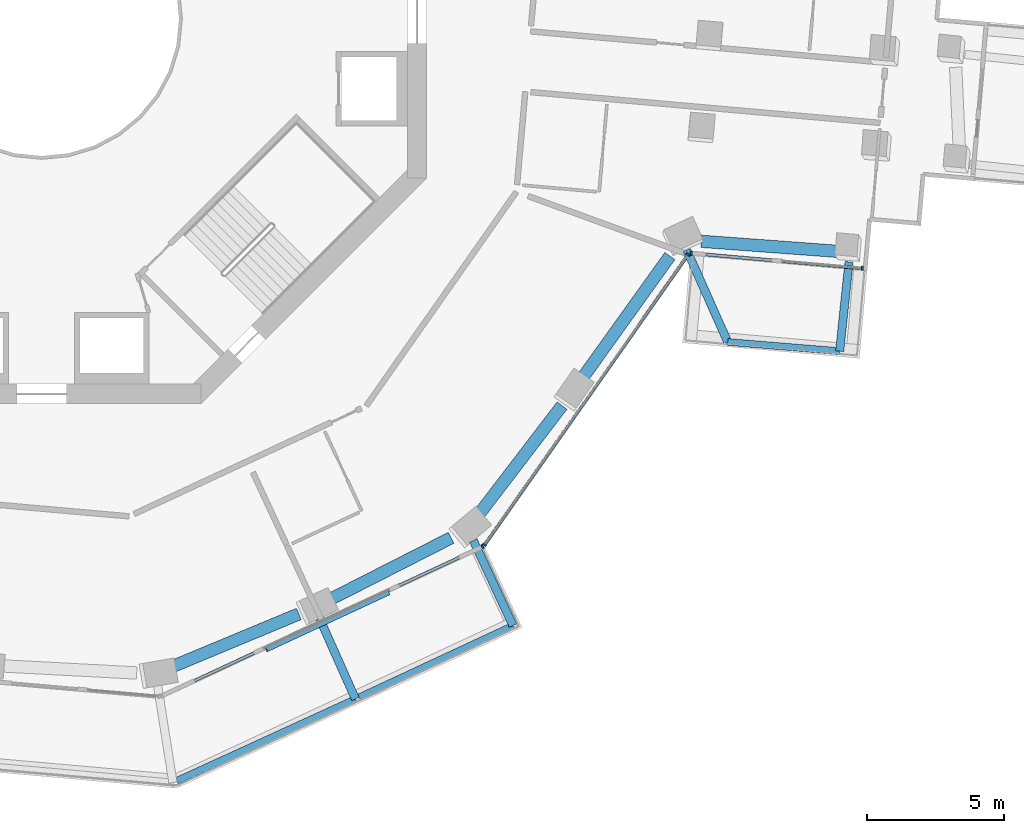
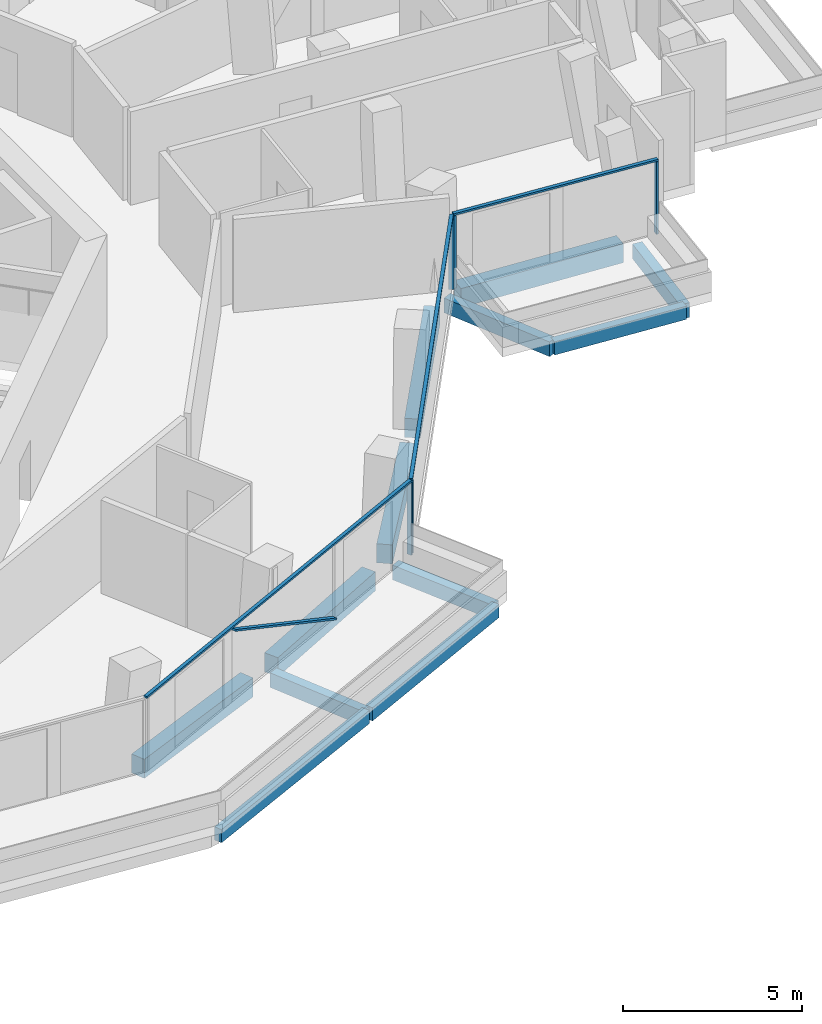
# One storey, part 5 of 23: 12 beams, 9 members, 3 elements without a shape of their own.
"""IFC4 building model written with IfcOpenShell, lengths in metres."""

from ifc_helpers import new_model, si_unit, direction, frame, origin, origin_2d, place, context, subcontext, project, spatial, rectangle, extrude, material, layer, layer_set, material_profile, profile_set, type_object, element, aggregate, save


model = new_model("IFC4")

# Units and contexts
model_context = context("Model", 3, precision=1e-05, world=origin(), true_north=direction((0.0, 1.0)))
body_context = subcontext(model_context, "Body", "Model", "MODEL_VIEW")
ifc_project = project(units=[si_unit("LENGTHUNIT", "METRE"), si_unit("AREAUNIT", "SQUARE_METRE"), si_unit("VOLUMEUNIT", "CUBIC_METRE"), si_unit("PLANEANGLEUNIT", "RADIAN"), si_unit("MASSUNIT", "GRAM", prefix="KILO")], contexts=[model_context])

# Site, building, storey
site_placement = place(None, origin())
site = spatial("IfcSite", under=ifc_project, at=site_placement, CompositionType="ELEMENT")
building_placement = place(site_placement, origin())
building = spatial("IfcBuilding", under=site, at=building_placement, Name="Verdalira Terraces Hotel", CompositionType="ELEMENT")
storey_placement = place(building_placement, frame((0.0, 0.0, 136.5)))
storey = spatial("IfcBuildingStorey", under=building, at=storey_placement, Name="L32", CompositionType="ELEMENT", Elevation=136.5)

# Beams
ifc_material_1 = material(Name="Concrete C40", Category="concrete")
ifc_material_profile_1 = material_profile(ifc_material_1, rectangle(XDim=0.300049, YDim=0.5, at=origin_2d()), Name="RC 300X500")
ifc_profile_set_1 = profile_set([ifc_material_profile_1], Name="Concrete C40")
beam_type_1 = type_object("IfcBeamType", Name="Balcony cantilever beam RC 300X500 C40", PredefinedType="BEAM", material=ifc_profile_set_1)
beam_1_placement = place(storey_placement, frame((10.113525, -21.829102, -0.560059), z_axis=(0.406704562, -0.91355974, 0.0), x_axis=(0.91355974, 0.406704562, 0.0)))
element("IfcBeam", 1, at=beam_1_placement, inside=storey, type_object=beam_type_1, Name="Balcony cantilever beam R25-4", PredefinedType="BEAM", context=body_context, shape_type="SweptSolid", body=[
    extrude(rectangle(XDim=0.300049, YDim=0.5, at=origin_2d()), origin(), (0.0, 0.0, 1.0), 3.200684),
])
beam_2_placement = place(storey_placement, frame((15.705811, -18.986816, -0.560059), z_axis=(0.421946562, -0.906620703, 0.0), x_axis=(0.906620703, 0.421946562, 0.0)))
element("IfcBeam", 2, at=beam_2_placement, inside=storey, type_object=beam_type_1, Name="Balcony cantilever beam R25-5", PredefinedType="BEAM", context=body_context, shape_type="SweptSolid", body=[
    extrude(rectangle(XDim=0.300049, YDim=0.5, at=origin_2d()), origin(), (0.0, 0.0, 1.0), 3.417236),
])
beam_3_placement = place(storey_placement, frame((23.471924, -8.423584, -0.560059), z_axis=(0.406776594, -0.913527669, 0.0), x_axis=(0.913527669, 0.406776594, 0.0)))
element("IfcBeam", 3, at=beam_3_placement, inside=storey, type_object=beam_type_1, Name="Balcony cantilever beam R28-1", PredefinedType="BEAM", context=body_context, shape_type="SweptSolid", body=[
    extrude(rectangle(XDim=0.300049, YDim=0.5, at=origin_2d()), origin(), (0.0, 0.0, 1.0), 3.655762),
])
beam_4_placement = place(storey_placement, frame((29.372314, -8.849609, -0.560059), z_axis=(-0.104595272, -0.994514871, 0.0), x_axis=(0.994514871, -0.104595272, 0.0)))
element("IfcBeam", 4, at=beam_4_placement, inside=storey, type_object=beam_type_1, Name="Balcony cantilever beam R28-2", PredefinedType="BEAM", context=body_context, shape_type="SweptSolid", body=[
    extrude(rectangle(XDim=0.300049, YDim=0.5, at=origin_2d()), origin(), (0.0, 0.0, 1.0), 3.265381),
])
ifc_material_2 = material(Name="Concrete C40", Category="concrete")
ifc_material_profile_2 = material_profile(ifc_material_2, rectangle(XDim=0.25, YDim=0.449951, at=origin_2d()), Name="RC 250X450")
ifc_profile_set_2 = profile_set([ifc_material_profile_2], Name="Concrete C40")
beam_type_2 = type_object("IfcBeamType", Name="Balcony edge beam RC 250X450 C40", PredefinedType="BEAM", material=ifc_profile_set_2)
beam_5_placement = place(storey_placement, frame((4.91748, -27.726562, -0.534912), z_axis=(0.90931754, 0.416102886, 0.0), x_axis=(-0.416102886, 0.90931754, 0.0)))
element("IfcBeam", 5, at=beam_5_placement, inside=storey, type_object=beam_type_2, Name="Balcony edge beam R25-3", PredefinedType="BEAM", context=body_context, shape_type="SweptSolid", body=[
    extrude(rectangle(XDim=0.25, YDim=0.449951, at=origin_2d()), origin(), (0.0, 0.0, 1.0), 7.145752),
])
beam_6_placement = place(storey_placement, frame((11.551514, -24.689697, -0.534912), z_axis=(0.906606063, 0.421978016, 0.0), x_axis=(-0.421978016, 0.906606063, 0.0)))
element("IfcBeam", 6, at=beam_6_placement, inside=storey, type_object=beam_type_2, Name="Balcony edge beam R25-4", PredefinedType="BEAM", context=body_context, shape_type="SweptSolid", body=[
    extrude(rectangle(XDim=0.25, YDim=0.449951, at=origin_2d()), origin(), (0.0, 0.0, 1.0), 6.172607),
])
beam_7_placement = place(storey_placement, frame((24.958984, -11.763184, -0.534912), z_axis=(0.996652893, -0.08174968, 0.0), x_axis=(0.08174968, 0.996652893, 0.0)))
element("IfcBeam", 7, at=beam_7_placement, inside=storey, type_object=beam_type_2, Name="Balcony edge beam R28-1", PredefinedType="BEAM", context=body_context, shape_type="SweptSolid", body=[
    extrude(rectangle(XDim=0.25, YDim=0.449951, at=origin_2d()), origin(), (0.0, 0.0, 1.0), 4.085449),
])

# Curtain wall, member
ifc_material_3 = material(Name="Clear glass", Category="glass")
ifc_layer_1 = layer(ifc_material_3, 0.14990234375)
ifc_layer_set_1 = layer_set([ifc_layer_1], Name="CW1 curtain wall")
curtain_wall_type_1 = type_object("IfcCurtainWallType", Name="CW1 curtain wall", PredefinedType="NOTDEFINED", material=ifc_layer_set_1)
curtain_wall_1_placement = place(storey_placement, origin())
curtain_wall_1 = element("IfcCurtainWall", 8, at=curtain_wall_1_placement, inside=storey, type_object=curtain_wall_type_1, Name="CW1 curtain wall L32 edge 26", PredefinedType="NOTDEFINED")
ifc_material_4 = material(Name="Terracotta frame", Category="masonry")
ifc_material_profile_3 = material_profile(ifc_material_4, rectangle(XDim=0.060059, YDim=0.149902, at=origin_2d()), Name="MU 60x150")
ifc_profile_set_3 = profile_set([ifc_material_profile_3], Name="Terracotta frame")
member_type_1 = type_object("IfcMemberType", Name="CW1 mullion 60x150", PredefinedType="MULLION", material=ifc_profile_set_3)
member_1_placement = place(storey_placement, frame((16.03418, -19.211426, 0.0), z_axis=(0.0, 0.0, 1.0), x_axis=(0.906602609, 0.421985437, 0.0)))
member_1 = element("IfcMember", 9, at=member_1_placement, type_object=member_type_1, Name="CW1 mullion", PredefinedType="MULLION", context=body_context, shape_type="SweptSolid", body=[
    extrude(rectangle(XDim=0.060059, YDim=0.149902, at=origin_2d()), origin(), (0.0, 0.0, 1.0), 2.475098),
])

# Curtain wall, members
curtain_wall_2_placement = place(storey_placement, origin())
curtain_wall_2 = element("IfcCurtainWall", 10, at=curtain_wall_2_placement, inside=storey, type_object=curtain_wall_type_1, Name="CW1 curtain wall L32 edge 27", PredefinedType="NOTDEFINED")
member_2_placement = place(storey_placement, frame((16.108398, -19.14917, 0.0), z_axis=(0.0, 0.0, 1.0), x_axis=(0.574148173, 0.818751413, 0.0)))
member_2 = element("IfcMember", 11, at=member_2_placement, type_object=member_type_1, Name="CW1 mullion", PredefinedType="MULLION", context=body_context, shape_type="SweptSolid", body=[
    extrude(rectangle(XDim=0.060059, YDim=0.149902, at=origin_2d()), origin(), (0.0, 0.0, 1.0), 2.475098),
])
member_3_placement = place(storey_placement, frame((23.514893, -8.587402, 0.0), z_axis=(0.0, 0.0, 1.0), x_axis=(0.574148173, 0.818751413, 0.0)))
member_3 = element("IfcMember", 12, at=member_3_placement, type_object=member_type_1, Name="CW1 mullion", PredefinedType="MULLION", context=body_context, shape_type="SweptSolid", body=[
    extrude(rectangle(XDim=0.060059, YDim=0.149902, at=origin_2d()), origin(), (0.0, 0.0, 1.0), 2.475098),
])

# Member
ifc_material_5 = material(Name="Terracotta frame", Category="masonry")
ifc_material_profile_4 = material_profile(ifc_material_5, rectangle(XDim=0.110107, YDim=0.064941, at=origin_2d()), Name="TR 65x110")
ifc_profile_set_4 = profile_set([ifc_material_profile_4], Name="Terracotta frame")
member_type_2 = type_object("IfcMemberType", Name="CW1 transom 65x110", PredefinedType="USERDEFINED", material=ifc_profile_set_4)
member_4_placement = place(storey_placement, frame((4.348633, -24.650635, 2.507568), z_axis=(0.906601257, 0.421988342, 0.0), x_axis=(-0.421988342, 0.906601257, 0.0)))
member_4 = element("IfcMember", 13, at=member_4_placement, type_object=member_type_2, Name="CW1 transom", ObjectType="TRANSOM", PredefinedType="USERDEFINED", context=body_context, shape_type="SweptSolid", body=[
    extrude(rectangle(XDim=0.110107, YDim=0.064941, at=origin_2d()), origin(), (0.0, 0.0, 1.0), 12.919678),
])

member_5_placement = place(storey_placement, frame((16.091309, -19.173828, 2.507568), z_axis=(0.574139827, 0.818757265, 0.0), x_axis=(-0.818757265, 0.574139827, 0.0)))
member_5 = element("IfcMember", 14, at=member_5_placement, type_object=member_type_2, Name="CW1 transom", ObjectType="TRANSOM", PredefinedType="USERDEFINED", context=body_context, shape_type="SweptSolid", body=[
    extrude(rectangle(XDim=0.110107, YDim=0.064941, at=origin_2d()), origin(), (0.0, 0.0, 1.0), 12.959717),
])

aggregate(curtain_wall_2, [member_2, member_3, member_5])

# Curtain wall, members
ifc_material_6 = material(Name="Clear glass", Category="glass")
ifc_layer_2 = layer(ifc_material_6, 0.14990234375)
ifc_layer_set_2 = layer_set([ifc_layer_2], Name="CW2 curtain wall")
curtain_wall_type_2 = type_object("IfcCurtainWallType", Name="CW2 curtain wall", PredefinedType="NOTDEFINED", material=ifc_layer_set_2)
curtain_wall_3_placement = place(storey_placement, origin())
curtain_wall_3 = element("IfcCurtainWall", 15, at=curtain_wall_3_placement, inside=storey, type_object=curtain_wall_type_2, Name="CW2 curtain wall L32 edge 28", PredefinedType="NOTDEFINED")
ifc_material_7 = material(Name="Terracotta frame", Category="masonry")
ifc_material_profile_5 = material_profile(ifc_material_7, rectangle(XDim=0.070068, YDim=0.149902, at=origin_2d()), Name="MU 70x150")
ifc_profile_set_5 = profile_set([ifc_material_profile_5], Name="Terracotta frame")
member_type_3 = type_object("IfcMemberType", Name="CW2 mullion 70x150", PredefinedType="MULLION", material=ifc_profile_set_5)
member_6_placement = place(storey_placement, frame((23.63501, -8.534424, 0.0), z_axis=(0.0, 0.0, 1.0), x_axis=(0.996133609, -0.087851197, 0.0)))
member_6 = element("IfcMember", 16, at=member_6_placement, type_object=member_type_3, Name="CW2 mullion", PredefinedType="MULLION", context=body_context, shape_type="SweptSolid", body=[
    extrude(rectangle(XDim=0.070068, YDim=0.149902, at=origin_2d()), origin(), (0.0, 0.0, 1.0), 2.475098),
])
member_7_placement = place(storey_placement, frame((29.854248, -9.082764, 0.0), z_axis=(0.0, 0.0, 1.0), x_axis=(0.996133609, -0.087851197, 0.0)))
member_7 = element("IfcMember", 17, at=member_7_placement, type_object=member_type_3, Name="CW2 mullion", PredefinedType="MULLION", context=body_context, shape_type="SweptSolid", body=[
    extrude(rectangle(XDim=0.070068, YDim=0.149902, at=origin_2d()), origin(), (0.0, 0.0, 1.0), 2.475098),
])
ifc_material_8 = material(Name="Terracotta frame", Category="masonry")
ifc_material_profile_6 = material_profile(ifc_material_8, rectangle(XDim=0.11499, YDim=0.064941, at=origin_2d()), Name="TR 65x115")
ifc_profile_set_6 = profile_set([ifc_material_profile_6], Name="Terracotta frame")
member_type_4 = type_object("IfcMemberType", Name="CW2 transom 65x115", PredefinedType="USERDEFINED", material=ifc_profile_set_6)
member_8_placement = place(storey_placement, frame((23.600098, -8.53125, 2.507568), z_axis=(0.996133036, -0.087857696, 0.0), x_axis=(0.087857696, 0.996133036, 0.0)))
member_8 = element("IfcMember", 18, at=member_8_placement, type_object=member_type_4, Name="CW2 transom", ObjectType="TRANSOM", PredefinedType="USERDEFINED", context=body_context, shape_type="SweptSolid", body=[
    extrude(rectangle(XDim=0.11499, YDim=0.064941, at=origin_2d()), origin(), (0.0, 0.0, 1.0), 6.313477),
])
aggregate(curtain_wall_3, [member_6, member_7, member_8])

# Member
ifc_material_9 = material(Name="Terracotta frame", Category="masonry")
ifc_material_profile_7 = material_profile(ifc_material_9, rectangle(XDim=0.149902, YDim=0.060059, at=origin_2d()), Name="GB 60x150")
ifc_profile_set_7 = profile_set([ifc_material_profile_7], Name="Terracotta frame")
member_type_5 = type_object("IfcMemberType", Name="Diagonal glazing bar 60x150", PredefinedType="USERDEFINED", material=ifc_profile_set_7)
member_9_placement = place(storey_placement, frame((8.179443, -22.965576, 2.447266), z_axis=(0.813195399, 0.378515715, -0.442084942), x_axis=(-0.421992228, 0.906599448, 0.0)))
member_9 = element("IfcMember", 19, at=member_9_placement, type_object=member_type_5, Name="Diagonal glazing bar", ObjectType="GLAZING BAR", PredefinedType="USERDEFINED", context=body_context, shape_type="SweptSolid", body=[
    extrude(rectangle(XDim=0.149902, YDim=0.060059, at=origin_2d()), origin(), (0.0, 0.0, 1.0), 5.4729),
])

aggregate(curtain_wall_1, [member_1, member_4, member_9])

# Beams
ifc_material_10 = material(Name="Concrete C50", Category="concrete")
ifc_material_profile_8 = material_profile(ifc_material_10, rectangle(XDim=0.449951, YDim=0.649902, at=origin_2d()), Name="RC 450X650")
ifc_profile_set_8 = profile_set([ifc_material_profile_8], Name="Concrete C50")
beam_type_3 = type_object("IfcBeamType", Name="Spandrel beam RC 450X650 C50", PredefinedType="SPANDREL", material=ifc_profile_set_8)
beam_8_placement = place(storey_placement, frame((4.725586, -23.584961, -0.63501), z_axis=(0.923265473, 0.384162552, 0.0), x_axis=(-0.384162552, 0.923265473, 0.0)))
element("IfcBeam", 20, at=beam_8_placement, inside=storey, type_object=beam_type_3, Name="Spandrel beam B11", PredefinedType="SPANDREL", context=body_context, shape_type="SweptSolid", body=[
    extrude(rectangle(XDim=0.449951, YDim=0.649902, at=origin_2d()), origin(), (0.0, 0.0, 1.0), 5.015381),
])
beam_9_placement = place(storey_placement, frame((10.429688, -21.162109, -0.63501), z_axis=(0.891149867, 0.453709063, 0.0), x_axis=(-0.453709063, 0.891149867, 0.0)))
element("IfcBeam", 21, at=beam_9_placement, inside=storey, type_object=beam_type_3, Name="Spandrel beam B12", PredefinedType="SPANDREL", context=body_context, shape_type="SweptSolid", body=[
    extrude(rectangle(XDim=0.449951, YDim=0.649902, at=origin_2d()), origin(), (0.0, 0.0, 1.0), 5.012451),
])
beam_10_placement = place(storey_placement, frame((15.884766, -18.062256, -0.63501), z_axis=(0.607520574, 0.794303942, 0.0), x_axis=(-0.794303942, 0.607520574, 0.0)))
element("IfcBeam", 22, at=beam_10_placement, inside=storey, type_object=beam_type_3, Name="Spandrel beam B13", PredefinedType="SPANDREL", context=body_context, shape_type="SweptSolid", body=[
    extrude(rectangle(XDim=0.449951, YDim=0.649902, at=origin_2d()), origin(), (0.0, 0.0, 1.0), 5.015381),
])
beam_11_placement = place(storey_placement, frame((19.624268, -13.143311, -0.63501), z_axis=(0.582607661, 0.812753538, 0.0), x_axis=(-0.812753538, 0.582607661, 0.0)))
element("IfcBeam", 23, at=beam_11_placement, inside=storey, type_object=beam_type_3, Name="Spandrel beam B14", PredefinedType="SPANDREL", context=body_context, shape_type="SweptSolid", body=[
    extrude(rectangle(XDim=0.449951, YDim=0.649902, at=origin_2d()), origin(), (0.0, 0.0, 1.0), 5.544922),
])
beam_12_placement = place(storey_placement, frame((23.993896, -8.101318, -0.63501), z_axis=(0.997307573, -0.07333215, 0.0), x_axis=(0.07333215, 0.997307573, 0.0)))
element("IfcBeam", 24, at=beam_12_placement, inside=storey, type_object=beam_type_3, Name="Spandrel beam B15", PredefinedType="SPANDREL", context=body_context, shape_type="SweptSolid", body=[
    extrude(rectangle(XDim=0.449951, YDim=0.649902, at=origin_2d()), origin(), (0.0, 0.0, 1.0), 5.050537),
])

save(model, "model.ifc")
